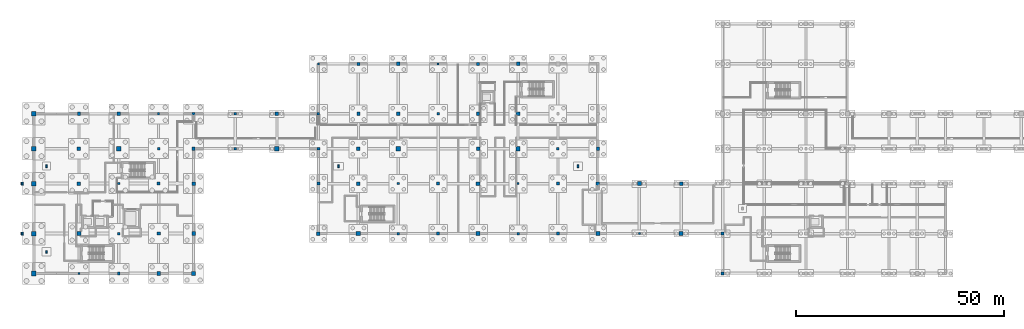
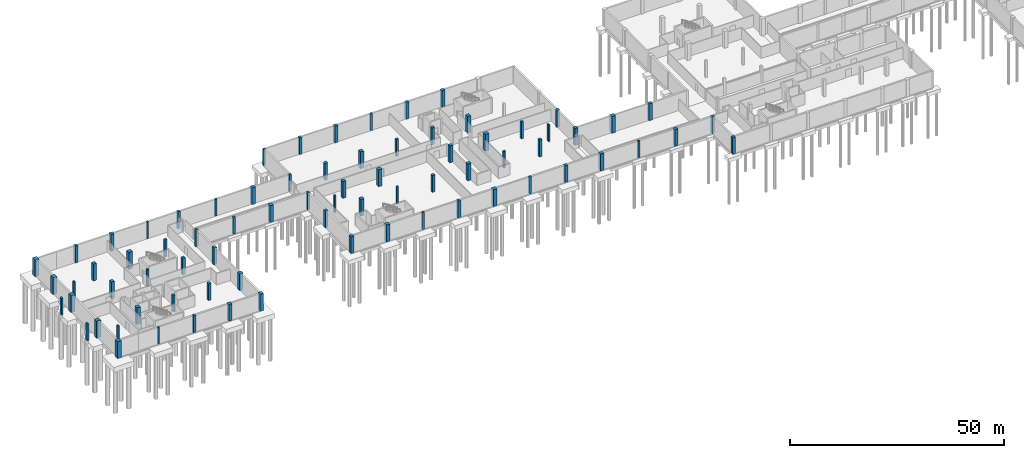
# One storey, part 8 of 28: 76 columns.
"""IFC4 building model written with IfcOpenShell, lengths in metres."""

from ifc_helpers import new_model, si_unit, direction, frame, origin, origin_2d, place, context, subcontext, project, spatial, rectangle, extrude, material, material_profile, profile_set, type_object, element, save


model = new_model("IFC4")

# Units and contexts
model_context = context("Model", 3, precision=1e-05, world=origin(), true_north=direction((0.0, 1.0)))
body_context = subcontext(model_context, "Body", "Model", "MODEL_VIEW")
ifc_project = project(units=[si_unit("LENGTHUNIT", "METRE"), si_unit("AREAUNIT", "SQUARE_METRE"), si_unit("VOLUMEUNIT", "CUBIC_METRE"), si_unit("PLANEANGLEUNIT", "RADIAN"), si_unit("MASSUNIT", "GRAM", prefix="KILO")], contexts=[model_context])

# Site, building, storey
site_placement = place(None, origin())
site = spatial("IfcSite", under=ifc_project, at=site_placement, CompositionType="ELEMENT")
building_placement = place(site_placement, origin())
building = spatial("IfcBuilding", under=site, at=building_placement, Name="Zereglee Splitstone Museum", CompositionType="ELEMENT")
storey_placement = place(building_placement, frame((0.0, 0.0, -4.800048828125)))
storey = spatial("IfcBuildingStorey", under=building, at=storey_placement, Name="B1", CompositionType="ELEMENT", Elevation=-4.800048828125)

# Columns
ifc_material = material(Name="Concrete C45/55", Category="concrete")
ifc_material_profile_1 = material_profile(ifc_material, rectangle(XDim=1.0, YDim=1.0, at=origin_2d()), Name="RC 1000x1000")
ifc_profile_set_1 = profile_set([ifc_material_profile_1], Name="Concrete C45/55")
column_type_1 = type_object("IfcColumnType", Name="C-02", PredefinedType="COLUMN", material=ifc_profile_set_1)
for number, where, z_axis, x_axis, name in (
    (1, (20.39990234375, 9.60009765625, 0.0), (0.0, 0.0, 1.0), (1.0, 0.0, 0.0), "Column 4/B B1"),
    (2, (30.0, 30.0, 0.0), (0.0, 0.0, 1.0), (1.0, 0.0, 0.0), "Column 5/D B1"),
    (3, (48.0, 0.0, 0.0), (0.0, 0.0, 1.0), (1.0, 0.0, 0.0), "Column 7/A B1"),
    (4, (68.0, 30.0, 0.0), (0.0, 0.0, 1.0), (1.0, 0.0, 0.0), "Column 9/D B1"),
    (5, (87.60009765625, 9.60009765625, 0.0), (0.0, 0.0, 1.0), (1.0, 0.0, 0.0), "Column 11/B B1"),
    (6, (97.199951171875, 30.0, 0.0), (0.0, 0.0, 1.0), (1.0, 0.0, 0.0), "Column 12/D B1"),
    (7, (116.39990234375, 9.60009765625, 0.0), (0.0, 0.0, 1.0), (1.0, 0.0, 0.0), "Column 14/B B1"),
    (8, (126.0, 30.0, 0.0), (0.0, 0.0, 1.0), (1.0, 0.0, 0.0), "Column 15/D B1"),
    (9, (155.199951171875, 21.60009765625, 0.0), (0.0, 0.0, 1.0), (1.0, 0.0, 0.0), "Column 18/C B1"),
):
    element("IfcColumn", number, at=place(storey_placement, frame(where, z_axis=z_axis, x_axis=x_axis)), inside=storey, type_object=column_type_1, Name=name, PredefinedType="COLUMN", context=body_context, shape_type="SweptSolid", body=[
        extrude(rectangle(XDim=1.0, YDim=1.0, at=origin_2d()), origin(), (0.0, 0.0, 1.0), 4.800048828125),
    ])
ifc_material_profile_2 = material_profile(ifc_material, rectangle(XDim=1.10009765625, YDim=1.10009765625, at=origin_2d()), Name="RC 1100x1100")
ifc_profile_set_2 = profile_set([ifc_material_profile_2], Name="Concrete C45/55")
column_type_2 = type_object("IfcColumnType", Name="C-01", PredefinedType="COLUMN", material=ifc_profile_set_2)
for number, where, z_axis, x_axis, name in (
    (10, (9.60009765625, 0.0, 0.0), (0.0, 0.0, 1.0), (1.0, 0.0, 0.0), "Column 2/A B1"),
    (11, (9.60009765625, 9.60009765625, 0.0), (0.0, 0.0, 1.0), (1.0, 0.0, 0.0), "Column 2/B B1"),
    (12, (9.60009765625, 21.60009765625, 0.0), (0.0, 0.0, 1.0), (1.0, 0.0, 0.0), "Column 2/C B1"),
    (13, (9.60009765625, 30.0, 0.0), (0.0, 0.0, 1.0), (1.0, 0.0, 0.0), "Column 2/D B1"),
    (14, (9.60009765625, 38.39990234375, 0.0), (0.0, 0.0, 1.0), (1.0, 0.0, 0.0), "Column 2/E B1"),
):
    element("IfcColumn", number, at=place(storey_placement, frame(where, z_axis=z_axis, x_axis=x_axis)), inside=storey, type_object=column_type_2, Name=name, PredefinedType="COLUMN", context=body_context, shape_type="SweptSolid", body=[
        extrude(rectangle(XDim=1.10009765625, YDim=1.10009765625, at=origin_2d()), origin(), (0.0, 0.0, 1.0), 4.800048828125),
    ])
ifc_material_profile_3 = material_profile(ifc_material, rectangle(XDim=0.5, YDim=0.5, at=origin_2d()), Name="RC 500x500")
ifc_profile_set_3 = profile_set([ifc_material_profile_3], Name="Concrete C45/55")
column_type_3 = type_object("IfcColumnType", Name="C-08", PredefinedType="COLUMN", material=ifc_profile_set_3)
for number, where, z_axis, x_axis, name in (
    (15, (20.39990234375, 0.0, 0.0), (0.0, 0.0, 1.0), (1.0, 0.0, 0.0), "Column 4/A B1"),
    (16, (30.0, 21.60009765625, 0.0), (0.0, 0.0, 1.0), (1.0, 0.0, 0.0), "Column 5/C B1"),
    (17, (39.60009765625, 38.39990234375, 0.0), (0.0, 0.0, 1.0), (1.0, 0.0, 0.0), "Column 6/E B1"),
    (18, (58.0, 38.39990234375, 0.0), (0.0, 0.0, 1.0), (1.0, 0.0, 0.0), "Column 8/E B1"),
    (19, (78.0, 50.39990234375, 0.0), (0.0, 0.0, 1.0), (1.0, 0.0, 0.0), "Column 10/F B1"),
    (20, (97.199951171875, 21.60009765625, 0.0), (0.0, 0.0, 1.0), (1.0, 0.0, 0.0), "Column 12/C B1"),
    (21, (106.800048828125, 50.39990234375, 0.0), (0.0, 0.0, 1.0), (1.0, 0.0, 0.0), "Column 13/F B1"),
    (22, (126.0, 21.60009765625, 0.0), (0.0, 0.0, 1.0), (1.0, 0.0, 0.0), "Column 15/C B1"),
    (23, (155.199951171875, 9.60009765625, 0.0), (0.0, 0.0, 1.0), (1.0, 0.0, 0.0), "Column 18/B B1"),
):
    element("IfcColumn", number, at=place(storey_placement, frame(where, z_axis=z_axis, x_axis=x_axis)), inside=storey, type_object=column_type_3, Name=name, PredefinedType="COLUMN", context=body_context, shape_type="SweptSolid", body=[
        extrude(rectangle(XDim=0.5, YDim=0.5, at=origin_2d()), origin(), (0.0, 0.0, 1.0), 4.800048828125),
    ])
ifc_material_profile_4 = material_profile(ifc_material, rectangle(XDim=0.60009765625, YDim=0.60009765625, at=origin_2d()), Name="RC 600x600")
ifc_profile_set_4 = profile_set([ifc_material_profile_4], Name="Concrete C45/55")
column_type_4 = type_object("IfcColumnType", Name="C-07", PredefinedType="COLUMN", material=ifc_profile_set_4)
for number, where, z_axis, x_axis, name in (
    (24, (30.0, 9.60009765625, 0.0), (0.0, 0.0, 1.0), (1.0, 0.0, 0.0), "Column 5/B B1"),
    (25, (39.60009765625, 30.0, 0.0), (0.0, 0.0, 1.0), (1.0, 0.0, 0.0), "Column 6/D B1"),
    (26, (58.0, 30.0, 0.0), (0.0, 0.0, 1.0), (1.0, 0.0, 0.0), "Column 8/D B1"),
    (27, (78.0, 38.39990234375, 0.0), (0.0, 0.0, 1.0), (1.0, 0.0, 0.0), "Column 10/E B1"),
    (28, (97.199951171875, 9.60009765625, 0.0), (0.0, 0.0, 1.0), (1.0, 0.0, 0.0), "Column 12/B B1"),
    (29, (106.800048828125, 38.39990234375, 0.0), (0.0, 0.0, 1.0), (1.0, 0.0, 0.0), "Column 13/E B1"),
    (30, (126.0, 9.60009765625, 0.0), (0.0, 0.0, 1.0), (1.0, 0.0, 0.0), "Column 15/B B1"),
    (31, (135.60009765625, 30.0, 0.0), (0.0, 0.0, 1.0), (1.0, 0.0, 0.0), "Column 16/D B1"),
):
    element("IfcColumn", number, at=place(storey_placement, frame(where, z_axis=z_axis, x_axis=x_axis)), inside=storey, type_object=column_type_4, Name=name, PredefinedType="COLUMN", context=body_context, shape_type="SweptSolid", body=[
        extrude(rectangle(XDim=0.60009765625, YDim=0.60009765625, at=origin_2d()), origin(), (0.0, 0.0, 1.0), 4.800048828125),
    ])
ifc_material_profile_5 = material_profile(ifc_material, rectangle(XDim=0.699951171875, YDim=0.699951171875, at=origin_2d()), Name="RC 700x700")
ifc_profile_set_5 = profile_set([ifc_material_profile_5], Name="Concrete C45/55")
column_type_5 = type_object("IfcColumnType", Name="C-06", PredefinedType="COLUMN", material=ifc_profile_set_5)
for number, where, z_axis, x_axis, name in (
    (32, (30.0, 0.0, 0.0), (0.0, 0.0, 1.0), (1.0, 0.0, 0.0), "Column 5/A B1"),
    (33, (39.60009765625, 21.60009765625, 0.0), (0.0, 0.0, 1.0), (1.0, 0.0, 0.0), "Column 6/C B1"),
    (34, (48.0, 38.39990234375, 0.0), (0.0, 0.0, 1.0), (1.0, 0.0, 0.0), "Column 7/E B1"),
    (35, (78.0, 30.0, 0.0), (0.0, 0.0, 1.0), (1.0, 0.0, 0.0), "Column 10/D B1"),
    (36, (87.60009765625, 50.39990234375, 0.0), (0.0, 0.0, 1.0), (1.0, 0.0, 0.0), "Column 11/F B1"),
    (37, (106.800048828125, 21.60009765625, 0.0), (0.0, 0.0, 1.0), (1.0, 0.0, 0.0), "Column 13/C B1"),
    (38, (116.39990234375, 50.39990234375, 0.0), (0.0, 0.0, 1.0), (1.0, 0.0, 0.0), "Column 14/F B1"),
    (39, (135.60009765625, 21.60009765625, 0.0), (0.0, 0.0, 1.0), (1.0, 0.0, 0.0), "Column 16/C B1"),
    (40, (175.199951171875, 9.60009765625, 0.0), (0.0, 0.0, 1.0), (1.0, 0.0, 0.0), "Column 20/B B1"),
):
    element("IfcColumn", number, at=place(storey_placement, frame(where, z_axis=z_axis, x_axis=x_axis)), inside=storey, type_object=column_type_5, Name=name, PredefinedType="COLUMN", context=body_context, shape_type="SweptSolid", body=[
        extrude(rectangle(XDim=0.699951171875, YDim=0.699951171875, at=origin_2d()), origin(), (0.0, 0.0, 1.0), 4.800048828125),
    ])
ifc_material_profile_6 = material_profile(ifc_material, rectangle(XDim=0.75, YDim=0.75, at=origin_2d()), Name="RC 750x750")
ifc_profile_set_6 = profile_set([ifc_material_profile_6], Name="Concrete C45/55")
column_type_6 = type_object("IfcColumnType", Name="C-05", PredefinedType="COLUMN", material=ifc_profile_set_6)
for number, where, z_axis, x_axis, name in (
    (41, (20.39990234375, 38.39990234375, 0.0), (0.0, 0.0, 1.0), (1.0, 0.0, 0.0), "Column 4/E B1"),
    (42, (39.60009765625, 9.60009765625, 0.0), (0.0, 0.0, 1.0), (1.0, 0.0, 0.0), "Column 6/B B1"),
    (43, (48.0, 30.0, 0.0), (0.0, 0.0, 1.0), (1.0, 0.0, 0.0), "Column 7/D B1"),
    (44, (78.0, 21.60009765625, 0.0), (0.0, 0.0, 1.0), (1.0, 0.0, 0.0), "Column 10/C B1"),
    (45, (87.60009765625, 38.39990234375, 0.0), (0.0, 0.0, 1.0), (1.0, 0.0, 0.0), "Column 11/E B1"),
    (46, (106.800048828125, 9.60009765625, 0.0), (0.0, 0.0, 1.0), (1.0, 0.0, 0.0), "Column 13/B B1"),
    (47, (116.39990234375, 38.39990234375, 0.0), (0.0, 0.0, 1.0), (1.0, 0.0, 0.0), "Column 14/E B1"),
    (48, (135.60009765625, 9.60009765625, 0.0), (0.0, 0.0, 1.0), (1.0, 0.0, 0.0), "Column 16/B B1"),
    (49, (145.199951171875, 30.0, 0.0), (0.0, 0.0, 1.0), (1.0, 0.0, 0.0), "Column 17/D B1"),
    (50, (175.199951171875, 0.0, 0.0), (0.0, 0.0, 1.0), (1.0, 0.0, 0.0), "Column 20/A B1"),
):
    element("IfcColumn", number, at=place(storey_placement, frame(where, z_axis=z_axis, x_axis=x_axis)), inside=storey, type_object=column_type_6, Name=name, PredefinedType="COLUMN", context=body_context, shape_type="SweptSolid", body=[
        extrude(rectangle(XDim=0.75, YDim=0.75, at=origin_2d()), origin(), (0.0, 0.0, 1.0), 4.800048828125),
    ])
ifc_material_profile_7 = material_profile(ifc_material, rectangle(XDim=0.85009765625, YDim=0.85009765625, at=origin_2d()), Name="RC 850x850")
ifc_profile_set_7 = profile_set([ifc_material_profile_7], Name="Concrete C45/55")
column_type_7 = type_object("IfcColumnType", Name="C-04", PredefinedType="COLUMN", material=ifc_profile_set_7)
for number, where, z_axis, x_axis, name in (
    (51, (20.39990234375, 30.0, 0.0), (0.0, 0.0, 1.0), (1.0, 0.0, 0.0), "Column 4/D B1"),
    (52, (39.60009765625, 0.0, 0.0), (0.0, 0.0, 1.0), (1.0, 0.0, 0.0), "Column 6/A B1"),
    (53, (48.0, 21.60009765625, 0.0), (0.0, 0.0, 1.0), (1.0, 0.0, 0.0), "Column 7/C B1"),
    (54, (78.0, 9.60009765625, 0.0), (0.0, 0.0, 1.0), (1.0, 0.0, 0.0), "Column 10/B B1"),
    (55, (87.60009765625, 30.0, 0.0), (0.0, 0.0, 1.0), (1.0, 0.0, 0.0), "Column 11/D B1"),
    (56, (97.199951171875, 50.39990234375, 0.0), (0.0, 0.0, 1.0), (1.0, 0.0, 0.0), "Column 12/F B1"),
    (57, (116.39990234375, 30.0, 0.0), (0.0, 0.0, 1.0), (1.0, 0.0, 0.0), "Column 14/D B1"),
    (58, (126.0, 50.39990234375, 0.0), (0.0, 0.0, 1.0), (1.0, 0.0, 0.0), "Column 15/F B1"),
    (59, (145.199951171875, 21.60009765625, 0.0), (0.0, 0.0, 1.0), (1.0, 0.0, 0.0), "Column 17/C B1"),
    (60, (165.199951171875, 21.60009765625, 0.0), (0.0, 0.0, 1.0), (1.0, 0.0, 0.0), "Column 19/C B1"),
):
    element("IfcColumn", number, at=place(storey_placement, frame(where, z_axis=z_axis, x_axis=x_axis)), inside=storey, type_object=column_type_7, Name=name, PredefinedType="COLUMN", context=body_context, shape_type="SweptSolid", body=[
        extrude(rectangle(XDim=0.85009765625, YDim=0.85009765625, at=origin_2d()), origin(), (0.0, 0.0, 1.0), 4.800048828125),
    ])
ifc_material_profile_8 = material_profile(ifc_material, rectangle(XDim=0.89990234375, YDim=0.89990234375, at=origin_2d()), Name="RC 900x900")
ifc_profile_set_8 = profile_set([ifc_material_profile_8], Name="Concrete C45/55")
column_type_8 = type_object("IfcColumnType", Name="C-03", PredefinedType="COLUMN", material=ifc_profile_set_8)
for number, where, z_axis, x_axis, name in (
    (61, (20.39990234375, 21.60009765625, 0.0), (0.0, 0.0, 1.0), (1.0, 0.0, 0.0), "Column 4/C B1"),
    (62, (30.0, 38.39990234375, 0.0), (0.0, 0.0, 1.0), (1.0, 0.0, 0.0), "Column 5/E B1"),
    (63, (48.0, 9.60009765625, 0.0), (0.0, 0.0, 1.0), (1.0, 0.0, 0.0), "Column 7/B B1"),
    (64, (68.0, 38.39990234375, 0.0), (0.0, 0.0, 1.0), (1.0, 0.0, 0.0), "Column 9/E B1"),
    (65, (87.60009765625, 21.60009765625, 0.0), (0.0, 0.0, 1.0), (1.0, 0.0, 0.0), "Column 11/C B1"),
    (66, (97.199951171875, 38.39990234375, 0.0), (0.0, 0.0, 1.0), (1.0, 0.0, 0.0), "Column 12/E B1"),
    (67, (116.39990234375, 21.60009765625, 0.0), (0.0, 0.0, 1.0), (1.0, 0.0, 0.0), "Column 14/C B1"),
    (68, (126.0, 38.39990234375, 0.0), (0.0, 0.0, 1.0), (1.0, 0.0, 0.0), "Column 15/E B1"),
    (69, (145.199951171875, 9.60009765625, 0.0), (0.0, 0.0, 1.0), (1.0, 0.0, 0.0), "Column 17/B B1"),
    (70, (165.199951171875, 9.60009765625, 0.0), (0.0, 0.0, 1.0), (1.0, 0.0, 0.0), "Column 19/B B1"),
):
    element("IfcColumn", number, at=place(storey_placement, frame(where, z_axis=z_axis, x_axis=x_axis)), inside=storey, type_object=column_type_8, Name=name, PredefinedType="COLUMN", context=body_context, shape_type="SweptSolid", body=[
        extrude(rectangle(XDim=0.89990234375, YDim=0.89990234375, at=origin_2d()), origin(), (0.0, 0.0, 1.0), 4.800048828125),
    ])
ifc_material_profile_9 = material_profile(ifc_material, rectangle(XDim=0.39990234375, YDim=0.64990234375, at=origin_2d()), Name="RC 400x650")
ifc_profile_set_9 = profile_set([ifc_material_profile_9], Name="Concrete C45/55")
column_type_9 = type_object("IfcColumnType", Name="CP-02", PredefinedType="PILASTER", material=ifc_profile_set_9)
for number, where, z_axis, x_axis, name in (
    (71, (12.60009765625, 5.199951171875, 0.0), (0.0, 0.0, 1.0), (1.0, 0.0, 0.0), "Basement Archive Pilaster PF1"),
    (72, (12.60009765625, 25.800048828125, 0.0), (0.0, 0.0, 1.0), (1.0, 0.0, 0.0), "Basement Archive Pilaster PF2"),
    (73, (82.800048828125, 25.800048828125, 0.0), (0.0, 0.0, 1.0), (1.0, 0.0, 0.0), "Basement Archive Pilaster PF3"),
    (74, (140.39990234375, 25.800048828125, 0.0), (0.0, 0.0, 1.0), (1.0, 0.0, 0.0), "Basement Archive Pilaster PF4"),
):
    element("IfcColumn", number, at=place(storey_placement, frame(where, z_axis=z_axis, x_axis=x_axis)), inside=storey, type_object=column_type_9, Name=name, PredefinedType="PILASTER", context=body_context, shape_type="SweptSolid", body=[
        extrude(rectangle(XDim=0.39990234375, YDim=0.64990234375, at=origin_2d()), origin(), (0.0, 0.0, 1.0), 4.800048828125),
    ])
ifc_material_profile_10 = material_profile(ifc_material, rectangle(XDim=0.449951171875, YDim=0.75, at=origin_2d()), Name="RC 450x750")
ifc_profile_set_10 = profile_set([ifc_material_profile_10], Name="Concrete C45/55")
column_type_10 = type_object("IfcColumnType", Name="CP-01", PredefinedType="PILASTER", material=ifc_profile_set_10)
for number, where, z_axis, x_axis, name in (
    (75, (6.800048828125, 9.60009765625, 0.0), (0.0, 0.0, 1.0), (1.0, 0.0, 0.0), "Mughal Guldasta Portal Pilaster G01 B1"),
    (76, (6.800048828125, 21.60009765625, 0.0), (0.0, 0.0, 1.0), (1.0, 0.0, 0.0), "Mughal Guldasta Portal Pilaster G02 B1"),
):
    element("IfcColumn", number, at=place(storey_placement, frame(where, z_axis=z_axis, x_axis=x_axis)), inside=storey, type_object=column_type_10, Name=name, PredefinedType="PILASTER", context=body_context, shape_type="SweptSolid", body=[
        extrude(rectangle(XDim=0.449951171875, YDim=0.75, at=origin_2d()), origin(), (0.0, 0.0, 1.0), 4.800048828125),
    ])

save(model, "model.ifc")
